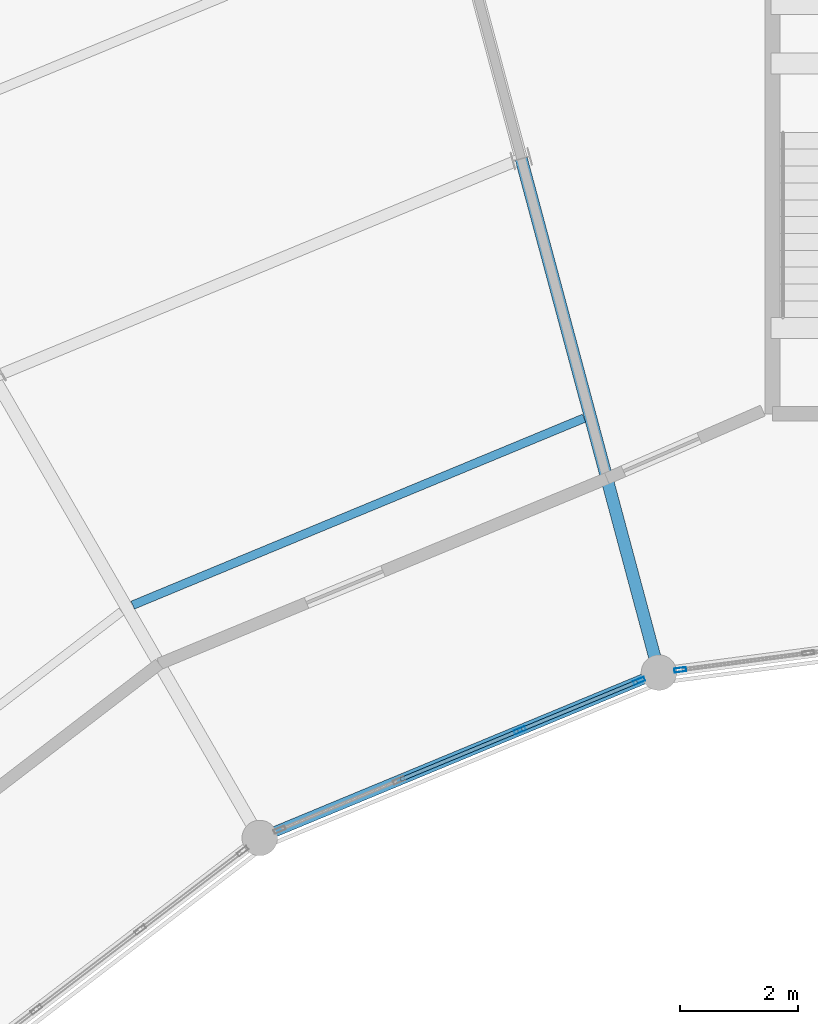
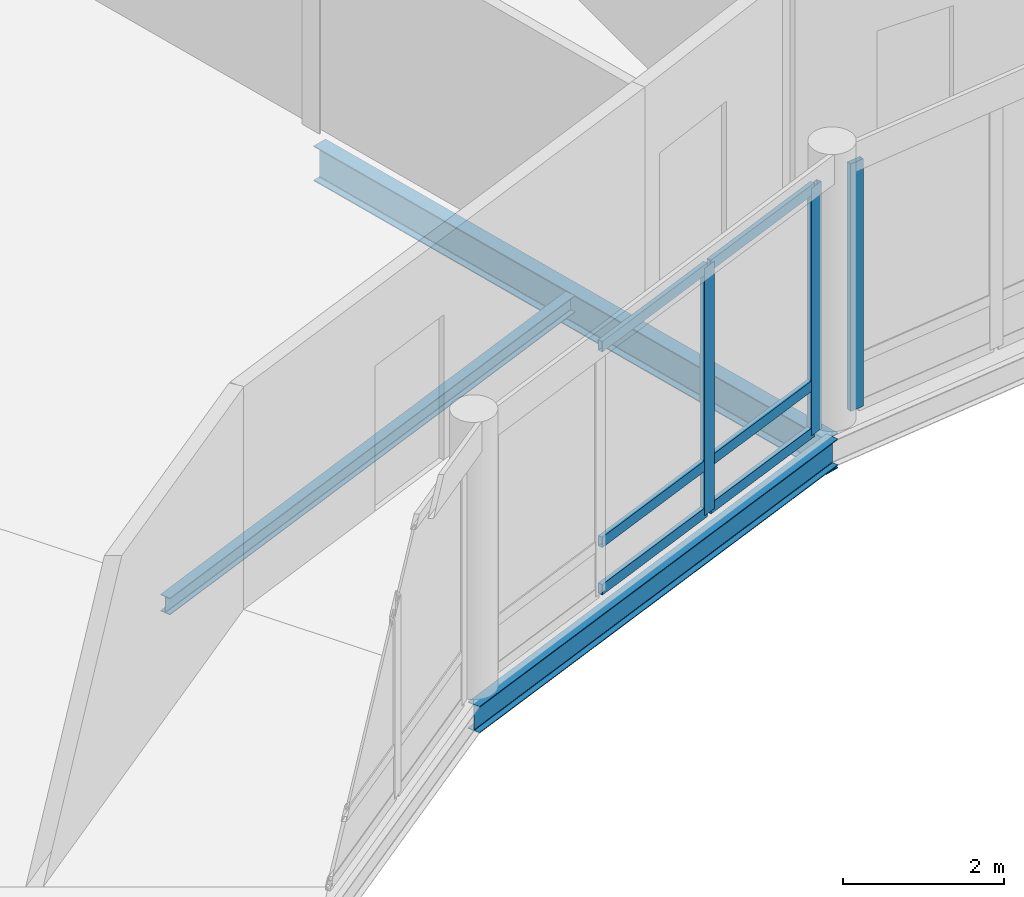
# One storey, part 74 of 170: 9 members, 3 beams, 2 elements without a shape of their own.
"""IFC4 building model written with IfcOpenShell, lengths in metres."""

from ifc_helpers import new_model, si_unit, direction, frame, origin, origin_2d, place, context, subcontext, project, spatial, hollow_rectangle, i_section, extrude, material, material_profile, profile_set, type_object, element, aggregate, save


model = new_model("IFC4")

# Units and contexts
model_context = context("Model", 3, precision=1e-05, world=origin(), true_north=direction((0.0, 1.0)))
body_context = subcontext(model_context, "Body", "Model", "MODEL_VIEW")
ifc_project = project(units=[si_unit("LENGTHUNIT", "METRE"), si_unit("AREAUNIT", "SQUARE_METRE"), si_unit("VOLUMEUNIT", "CUBIC_METRE"), si_unit("PLANEANGLEUNIT", "RADIAN"), si_unit("MASSUNIT", "GRAM", prefix="KILO")], contexts=[model_context])

# Site, building, storey
site_placement = place(None, origin())
site = spatial("IfcSite", under=ifc_project, at=site_placement, CompositionType="ELEMENT")
building_placement = place(site_placement, origin())
building = spatial("IfcBuilding", under=site, at=building_placement, Name="Vondelvale Polytechnic", CompositionType="ELEMENT")
storey_placement = place(building_placement, frame((0.0, 0.0, 5.39990234375)))
storey = spatial("IfcBuildingStorey", under=building, at=storey_placement, Name="L01", CompositionType="ELEMENT", Elevation=5.39990234375)

# Beams
ifc_material_1 = material(Name="Steel 300PLUS (fy = 300 MPa)", Category="steel")
ifc_material_profile_1 = material_profile(ifc_material_1, i_section(OverallWidth=0.177978515625, OverallDepth=0.406005859375, WebThickness=0.0078125, FlangeThickness=0.0126953125, FilletRadius=0.011474609375, at=origin_2d()), Name="410UB59.7")
ifc_profile_set_1 = profile_set([ifc_material_profile_1], Name="Steel 300PLUS (fy = 300 MPa)")
beam_type_1 = type_object("IfcBeamType", Name="BM-UB410", PredefinedType="BEAM", material=ifc_profile_set_1)
beam_1_placement = place(storey_placement, frame((94.753173828125, 99.0458984375, -0.48291015625), z_axis=(-0.923886161226, -0.382667428841, 0.0), x_axis=(0.382667428841, -0.923886161226, 0.0)))
element("IfcBeam", 1, at=beam_1_placement, inside=storey, type_object=beam_type_1, Name="L01 RB B-14", PredefinedType="BEAM", context=body_context, shape_type="SweptSolid", body=[
    extrude(i_section(OverallWidth=0.177978515625, OverallDepth=0.406005859375, WebThickness=0.0078125, FlangeThickness=0.0126953125, FilletRadius=0.011474609375, at=origin_2d()), origin(), (0.0, 0.0, 1.0), 7.3095703125),
])
ifc_material_profile_2 = material_profile(ifc_material_1, i_section(OverallWidth=0.208984375, OverallDepth=0.532958984375, WebThickness=0.01025390625, FlangeThickness=0.015625, FilletRadius=0.013916015625, at=origin_2d()), Name="530UB92.4")
ifc_profile_set_2 = profile_set([ifc_material_profile_2], Name="Steel 300PLUS (fy = 300 MPa)")
beam_type_2 = type_object("IfcBeamType", Name="BM-UB530", PredefinedType="BEAM", material=ifc_profile_set_2)
beam_2_placement = place(storey_placement, frame((94.753173828125, 99.0458984375, -0.54638671875), z_axis=(-0.258840941576, 0.965919958881, 0.0), x_axis=(-0.965919958881, -0.258840941576, 0.0)))
element("IfcBeam", 2, at=beam_2_placement, inside=storey, type_object=beam_type_2, Name="L01 RG B-11", PredefinedType="BEAM", context=body_context, shape_type="SweptSolid", body=[
    extrude(i_section(OverallWidth=0.208984375, OverallDepth=0.532958984375, WebThickness=0.01025390625, FlangeThickness=0.015625, FilletRadius=0.013916015625, at=origin_2d()), origin(), (0.0, 0.0, 1.0), 9.0),
])

# Curtain wall, member
ifc_material_2 = material(Name="Anodised extruded aluminium 6063-T6", Category="aluminium")
curtain_wall_type = type_object("IfcCurtainWallType", Name="CW-RING-CLOISTER", PredefinedType="NOTDEFINED", material=ifc_material_2)
curtain_wall_1_placement = place(storey_placement, origin())
curtain_wall_1 = element("IfcCurtainWall", 3, at=curtain_wall_1_placement, inside=storey, type_object=curtain_wall_type, Name="L01 architectural curtain wall CW-03-155", PredefinedType="NOTDEFINED")
ifc_material_profile_3 = material_profile(ifc_material_2, hollow_rectangle(XDim=0.070068359375, YDim=0.199951171875, WallThickness=0.00390625, at=origin_2d()), Name="CW-MUL-200x70")
ifc_profile_set_3 = profile_set([ifc_material_profile_3], Name="Anodised extruded aluminium 6063-T6")
member_type_1 = type_object("IfcMemberType", Name="CW-MUL-70x200", PredefinedType="MULLION", material=ifc_profile_set_3)
member_1_placement = place(storey_placement, frame((95.113525390625, 99.09326171875, 0.0), z_axis=(0.0, 0.0, 1.0), x_axis=(0.130528007165, -0.99144462243, 0.0)))
member_1 = element("IfcMember", 4, at=member_1_placement, type_object=member_type_1, Name="CW-03-155 mullion 4", PredefinedType="MULLION", context=body_context, shape_type="SweptSolid", body=[
    extrude(hollow_rectangle(XDim=0.070068359375, YDim=0.199951171875, WallThickness=0.00390625, at=origin_2d()), origin(), (0.0, 0.0, 1.0), 3.75),
])
aggregate(curtain_wall_1, [member_1])

# Curtain wall, members
curtain_wall_2_placement = place(storey_placement, origin())
curtain_wall_2 = element("IfcCurtainWall", 5, at=curtain_wall_2_placement, inside=storey, type_object=curtain_wall_type, Name="L01 architectural curtain wall CW-03-175", PredefinedType="NOTDEFINED")
member_2_placement = place(storey_placement, frame((94.415771484375, 98.90625, 0.0), z_axis=(0.0, 0.0, 1.0), x_axis=(0.382678531697, -0.923881562419, 0.0)))
member_2 = element("IfcMember", 6, at=member_2_placement, type_object=member_type_1, Name="CW-03-175 mullion 1", PredefinedType="MULLION", context=body_context, shape_type="SweptSolid", body=[
    extrude(hollow_rectangle(XDim=0.070068359375, YDim=0.199951171875, WallThickness=0.00390625, at=origin_2d()), origin(), (0.0, 0.0, 1.0), 3.75),
])
member_3_placement = place(storey_placement, frame((92.400390625, 98.0712890625, 0.0), z_axis=(0.0, 0.0, 1.0), x_axis=(0.382678531697, -0.923881562419, 0.0)))
member_3 = element("IfcMember", 7, at=member_3_placement, type_object=member_type_1, Name="CW-03-175 mullion 2", PredefinedType="MULLION", context=body_context, shape_type="SweptSolid", body=[
    extrude(hollow_rectangle(XDim=0.070068359375, YDim=0.199951171875, WallThickness=0.00390625, at=origin_2d()), origin(), (0.0, 0.0, 1.0), 3.75),
])
ifc_material_profile_4 = material_profile(ifc_material_2, hollow_rectangle(XDim=0.06494140625, YDim=0.159912109375, WallThickness=0.00341796875, at=origin_2d()), Name="CW-TRN-160x65")
ifc_profile_set_4 = profile_set([ifc_material_profile_4], Name="Anodised extruded aluminium 6063-T6")
member_type_2 = type_object("IfcMemberType", Name="CW-TRN-70x160", PredefinedType="USERDEFINED", material=ifc_profile_set_4)
member_4_placement = place(storey_placement, frame((94.383544921875, 98.892822265625, 0.03271484375), z_axis=(-0.923861804277, -0.382726229306, 0.0), x_axis=(0.382726229306, -0.923861804277, 0.0)))
member_4 = element("IfcMember", 8, at=member_4_placement, type_object=member_type_2, Name="CW-03-175 transom 1.1", ObjectType="TRANSOM", PredefinedType="USERDEFINED", context=body_context, shape_type="SweptSolid", body=[
    extrude(hollow_rectangle(XDim=0.06494140625, YDim=0.159912109375, WallThickness=0.00341796875, at=origin_2d()), origin(), (0.0, 0.0, 1.0), 2.111328125),
])
member_5_placement = place(storey_placement, frame((94.383544921875, 98.892822265625, 0.75), z_axis=(-0.923861804277, -0.382726229306, 0.0), x_axis=(0.382726229306, -0.923861804277, 0.0)))
member_5 = element("IfcMember", 9, at=member_5_placement, type_object=member_type_2, Name="CW-03-175 transom 1.2", ObjectType="TRANSOM", PredefinedType="USERDEFINED", context=body_context, shape_type="SweptSolid", body=[
    extrude(hollow_rectangle(XDim=0.06494140625, YDim=0.159912109375, WallThickness=0.00341796875, at=origin_2d()), origin(), (0.0, 0.0, 1.0), 2.111328125),
])
member_6_placement = place(storey_placement, frame((94.383544921875, 98.892822265625, 3.717529296875), z_axis=(-0.923861804277, -0.382726229306, 0.0), x_axis=(0.382726229306, -0.923861804277, 0.0)))
member_6 = element("IfcMember", 10, at=member_6_placement, type_object=member_type_2, Name="CW-03-175 transom 1.3", ObjectType="TRANSOM", PredefinedType="USERDEFINED", context=body_context, shape_type="SweptSolid", body=[
    extrude(hollow_rectangle(XDim=0.06494140625, YDim=0.159912109375, WallThickness=0.00341796875, at=origin_2d()), origin(), (0.0, 0.0, 1.0), 2.111328125),
])
member_7_placement = place(storey_placement, frame((92.3681640625, 98.05810546875, 0.03271484375), z_axis=(-0.923865730094, -0.382716752649, 0.0), x_axis=(0.382716752649, -0.923865730094, 0.0)))
member_7 = element("IfcMember", 11, at=member_7_placement, type_object=member_type_2, Name="CW-03-175 transom 2.1", ObjectType="TRANSOM", PredefinedType="USERDEFINED", context=body_context, shape_type="SweptSolid", body=[
    extrude(hollow_rectangle(XDim=0.06494140625, YDim=0.159912109375, WallThickness=0.00341796875, at=origin_2d()), origin(), (0.0, 0.0, 1.0), 2.146484375),
])
member_8_placement = place(storey_placement, frame((92.3681640625, 98.05810546875, 0.75), z_axis=(-0.923865730094, -0.382716752649, 0.0), x_axis=(0.382716752649, -0.923865730094, 0.0)))
member_8 = element("IfcMember", 12, at=member_8_placement, type_object=member_type_2, Name="CW-03-175 transom 2.2", ObjectType="TRANSOM", PredefinedType="USERDEFINED", context=body_context, shape_type="SweptSolid", body=[
    extrude(hollow_rectangle(XDim=0.06494140625, YDim=0.159912109375, WallThickness=0.00341796875, at=origin_2d()), origin(), (0.0, 0.0, 1.0), 2.146484375),
])
member_9_placement = place(storey_placement, frame((92.3681640625, 98.05810546875, 3.717529296875), z_axis=(-0.923865730094, -0.382716752649, 0.0), x_axis=(0.382716752649, -0.923865730094, 0.0)))
member_9 = element("IfcMember", 13, at=member_9_placement, type_object=member_type_2, Name="CW-03-175 transom 2.3", ObjectType="TRANSOM", PredefinedType="USERDEFINED", context=body_context, shape_type="SweptSolid", body=[
    extrude(hollow_rectangle(XDim=0.06494140625, YDim=0.159912109375, WallThickness=0.00341796875, at=origin_2d()), origin(), (0.0, 0.0, 1.0), 2.146484375),
])
aggregate(curtain_wall_2, [member_2, member_3, member_4, member_5, member_6, member_7, member_8, member_9])

# Beam
ifc_material_profile_5 = material_profile(ifc_material_1, i_section(OverallWidth=0.14599609375, OverallDepth=0.256103515625, WebThickness=0.00634765625, FlangeThickness=0.010986328125, FilletRadius=0.0087890625, at=origin_2d()), Name="250UB37.3")
ifc_profile_set_5 = profile_set([ifc_material_profile_5], Name="Steel 300PLUS (fy = 300 MPa)")
beam_type_3 = type_object("IfcBeamType", Name="JST-UB250", PredefinedType="JOIST", material=ifc_profile_set_5)
beam_3_placement = place(storey_placement, frame((93.48681640625, 103.3505859375, -0.407958984375), z_axis=(-0.923880733098, -0.38268053388, 0.0), x_axis=(0.38268053388, -0.923880733098, 0.0)))
element("IfcBeam", 14, at=beam_3_placement, inside=storey, type_object=beam_type_3, Name="L01 RJ J-06", PredefinedType="JOIST", context=body_context, shape_type="SweptSolid", body=[
    extrude(i_section(OverallWidth=0.14599609375, OverallDepth=0.256103515625, WebThickness=0.00634765625, FlangeThickness=0.010986328125, FilletRadius=0.0087890625, at=origin_2d()), origin(), (0.0, 0.0, 1.0), 8.264404296875),
])

save(model, "model.ifc")
